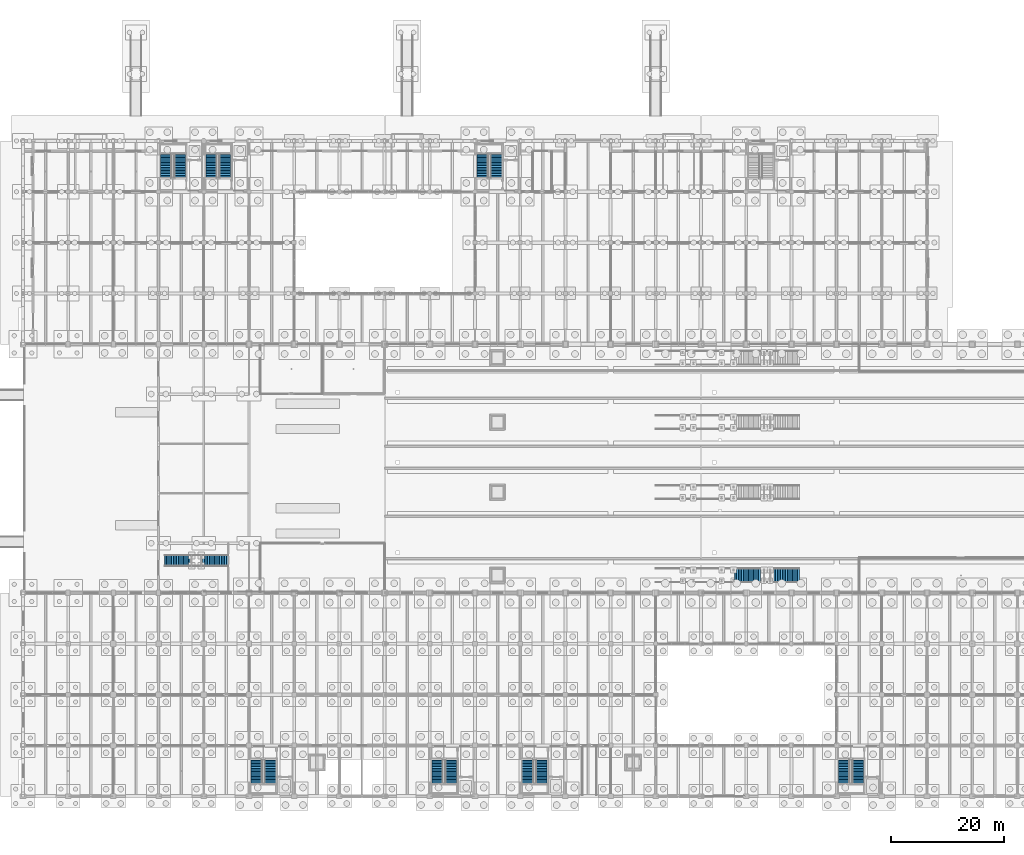
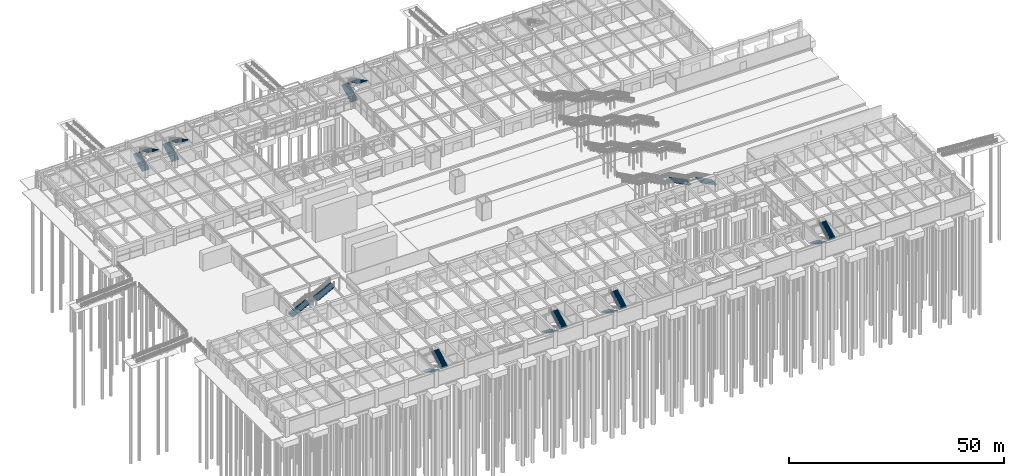
# One storey, part 113 of 147: 18 stair flights, 9 elements without a shape of their own.
"""IFC4 building model written with IfcOpenShell, lengths in metres."""

import ifcopenshell
import ifcopenshell.guid

model = None  # the IFC model being written
_history = None  # IfcOwnerHistory: only IFC2X3 demands one
_inside = {}  # id of a spatial element -> (the spatial element, [elements in it])
_under = {}  # id of a project, library or spatial element -> (it, [spatial elements below it])
_declared = {}  # id of a project -> (the project, [libraries it declares])
_typed = {}  # id of a type object -> (the type object, [elements of that type])
_made_of = {}  # id of a material, layer set ... -> (it, [elements and type objects made of it])


def new_model(schema):
    """Start an empty IFC model of exactly this schema.

    Asked for "IFC4X3", IfcOpenShell would pick the latest addendum, in which some entities
    have other attributes; the version numbers below select the first issue.
    IFC2X3 requires an IfcOwnerHistory on every rooted entity: one is made here for all.
    """
    global model, _history
    if schema == "IFC4X3":
        model = ifcopenshell.file(schema_version=(4, 3, 0, 0))
    else:
        model = ifcopenshell.file(schema=schema)
    _inside.clear()
    _under.clear()
    _declared.clear()
    _typed.clear()
    _made_of.clear()
    _history = None
    if model.schema == "IFC2X3":
        org = make("IfcOrganization", Name="unknown")
        user = make(
            "IfcPersonAndOrganization",
            ThePerson=make("IfcPerson", FamilyName="unknown"),
            TheOrganization=org,
        )
        app = make(
            "IfcApplication",
            ApplicationDeveloper=org,
            Version="unknown",
            ApplicationFullName="unknown",
            ApplicationIdentifier="unknown",
        )
        _history = make(
            "IfcOwnerHistory",
            OwningUser=user,
            OwningApplication=app,
            ChangeAction="ADDED",
            CreationDate=0,
        )
    return model


def make(cls, **values):
    """One entity of the class cls with the attributes given. An attribute that is None is left unset."""
    return model.create_entity(
        cls, **{name: value for name, value in values.items() if value is not None}
    )


def rooted(cls, **values):
    """An entity with a GlobalId (a new one), such as an element, a storey or a relation."""
    return make(cls, GlobalId=ifcopenshell.guid.new(), OwnerHistory=_history, **values)


def si_unit(unit_type, name, prefix=None):
    """IfcSIUnit, for example si_unit("LENGTHUNIT", "METRE", prefix="MILLI")."""
    return make("IfcSIUnit", UnitType=unit_type, Prefix=prefix, Name=name)


def assignment(units):
    """IfcUnitAssignment: the units of a project."""
    return None if units is None else make("IfcUnitAssignment", Units=units)


def point(xyz):
    """IfcCartesianPoint."""
    return None if xyz is None else make("IfcCartesianPoint", Coordinates=xyz)


def direction(xyz):
    """IfcDirection."""
    return None if xyz is None else make("IfcDirection", DirectionRatios=xyz)


def frame(location, z_axis=None, x_axis=None):
    """IfcAxis2Placement3D, a coordinate frame: its origin and axes. An axis left out is left unset."""
    return make(
        "IfcAxis2Placement3D",
        Location=point(location),
        Axis=direction(z_axis),
        RefDirection=direction(x_axis),
    )


def origin():
    """The frame at (0, 0, 0) with its axes left unset."""
    return frame((0.0, 0.0, 0.0))


def place(relative_to, where):
    """IfcLocalPlacement: puts the frame where relative to a parent placement (None: the world)."""
    return make(
        "IfcLocalPlacement", PlacementRelTo=relative_to, RelativePlacement=where
    )


def context(
    kind, dimensions, precision=None, world=None, true_north=None, identifier=None
):
    """IfcGeometricRepresentationContext, for example the 3D "Model" context."""
    return make(
        "IfcGeometricRepresentationContext",
        ContextIdentifier=identifier,
        ContextType=kind,
        CoordinateSpaceDimension=dimensions,
        Precision=precision,
        WorldCoordinateSystem=world,
        TrueNorth=true_north,
    )


def subcontext(parent, identifier, kind, view, scale=None):
    """IfcGeometricRepresentationSubContext, for example "Body" below "Model"."""
    return make(
        "IfcGeometricRepresentationSubContext",
        ContextIdentifier=identifier,
        ContextType=kind,
        ParentContext=parent,
        TargetScale=scale,
        TargetView=view,
    )


def project(units=None, contexts=None):
    """IfcProject with its units and contexts."""
    return rooted(
        "IfcProject",
        Name="project",
        RepresentationContexts=contexts,
        UnitsInContext=assignment(units),
    )


def spatial(cls, under=None, at=None, **own):
    """A site, building, storey or space (cls), placed at a placement, below another one or the project."""
    s = rooted(cls, ObjectPlacement=at, **own)
    if under is not None:
        _under.setdefault(under.id(), (under, []))[1].append(s)
    return s


def polyline(points):
    """IfcPolyline through the points."""
    return make("IfcPolyline", Points=[point(p) for p in points])


def outline(outer, holes=None, kind="AREA"):
    """IfcArbitraryClosedProfileDef: a profile drawn as a closed curve; with holes, ...WithVoids."""
    if holes is None:
        return make("IfcArbitraryClosedProfileDef", ProfileType=kind, OuterCurve=outer)
    return make(
        "IfcArbitraryProfileDefWithVoids",
        ProfileType=kind,
        OuterCurve=outer,
        InnerCurves=holes,
    )


def extrude(swept, where, along, depth):
    """IfcExtrudedAreaSolid: the profile swept, set in the frame where, extruded along a direction by depth."""
    return make(
        "IfcExtrudedAreaSolid",
        SweptArea=swept,
        Position=where,
        ExtrudedDirection=direction(along),
        Depth=depth,
    )


def shape(context_of_items, identifier, shape_type, items):
    """IfcShapeRepresentation: the items that make up one representation, for example the "Body"."""
    return make(
        "IfcShapeRepresentation",
        ContextOfItems=context_of_items,
        RepresentationIdentifier=identifier,
        RepresentationType=shape_type,
        Items=items,
    )


def material(Name=None, Category=None):
    """IfcMaterial."""
    return make("IfcMaterial", Name=Name, Category=Category)


def made_of(thing, what):
    """Note that an element or type object is made of a material, layer set ...; save() writes the relation."""
    if what is not None:
        _made_of.setdefault(what.id(), (what, []))[1].append(thing)
    return thing


def type_object(cls, material=None, **own):
    """A type object (cls), such as IfcWallType, which elements share."""
    return made_of(rooted(cls, **own), material)


def element(
    cls,
    number,
    at=None,
    inside=None,
    cuts=None,
    type_object=None,
    material=None,
    context=None,
    identifier="Body",
    shape_type=None,
    held_by="IfcProductDefinitionShape",
    body=None,
    shapes=None,
    **own,
):
    """One element of the class cls, such as IfcWall. Its Tag is "e" and its number.

    at: its placement. inside: the storey or other place that contains it. cuts: it is an
    opening in that element (IfcRelVoidsElement). A single representation is given by context,
    identifier, shape_type and body (its items); several are given by shapes. held_by: the class
    of the entity that holds the representations. save() writes the other relations.
    """
    e = rooted(cls, Tag="e%d" % number, ObjectPlacement=at, **own)
    if body is not None:
        shapes = [shape(context, identifier, shape_type, body)]
    if shapes is not None:
        e.Representation = make(held_by, Representations=shapes)
    if inside is not None:
        _inside.setdefault(inside.id(), (inside, []))[1].append(e)
    if cuts is not None:
        rooted(
            "IfcRelVoidsElement", RelatingBuildingElement=cuts, RelatedOpeningElement=e
        )
    if type_object is not None:
        _typed.setdefault(type_object.id(), (type_object, []))[1].append(e)
    return made_of(e, material)


def aggregate(whole, parts):
    """IfcRelAggregates: a whole, such as a stair, and the parts it consists of."""
    return rooted("IfcRelAggregates", RelatingObject=whole, RelatedObjects=parts)


def save(model, path):
    """Write the relations noted so far, then the file.

    IfcRelAggregates (storeys below a building ...), IfcRelContainedInSpatialStructure (elements
    in a storey), IfcRelDefinesByType, IfcRelAssociatesMaterial and IfcRelDeclares: one each for
    every whole, place, type object, material and project.
    """
    for whole, parts in _under.values():
        aggregate(whole, parts)
    for where, things in _inside.values():
        rooted(
            "IfcRelContainedInSpatialStructure",
            RelatedElements=things,
            RelatingStructure=where,
        )
    for kind, things in _typed.values():
        rooted("IfcRelDefinesByType", RelatedObjects=things, RelatingType=kind)
    for what, things in _made_of.values():
        rooted("IfcRelAssociatesMaterial", RelatedObjects=things, RelatingMaterial=what)
    for by, libraries in _declared.values():
        rooted("IfcRelDeclares", RelatingContext=by, RelatedDefinitions=libraries)
    model.write(path)


model = new_model("IFC4")

# Units and contexts
model_context = context("Model", 3, precision=1e-05, world=origin(), true_north=direction((0.0, 1.0)))
body_context = subcontext(model_context, "Body", "Model", "MODEL_VIEW")
ifc_project = project(units=[si_unit("LENGTHUNIT", "METRE"), si_unit("AREAUNIT", "SQUARE_METRE"), si_unit("VOLUMEUNIT", "CUBIC_METRE"), si_unit("PLANEANGLEUNIT", "RADIAN"), si_unit("MASSUNIT", "GRAM", prefix="KILO")], contexts=[model_context])

# Site, building, storey
site_placement = place(None, origin())
site = spatial("IfcSite", under=ifc_project, at=site_placement, CompositionType="ELEMENT")
building_placement = place(site_placement, origin())
building = spatial("IfcBuilding", under=site, at=building_placement, Name="Varnabhumi Central Station", CompositionType="ELEMENT")
storey_placement = place(building_placement, origin())
storey = spatial("IfcBuildingStorey", under=building, at=storey_placement, Name="L00", CompositionType="ELEMENT", Elevation=0.0)

# Stair, stair flights
ifc_material = material(Name="Concrete M40", Category="concrete")
stair_type_1 = type_object("IfcStairType", Name="STR-CORE-4800", PredefinedType="DOUBLE_RETURN_STAIR", material=ifc_material)
stair_1_placement = place(storey_placement, origin())
stair_1 = element("IfcStair", 1, at=stair_1_placement, inside=storey, type_object=stair_type_1, Name="Core Stair ST-N1 (L00)", PredefinedType="DOUBLE_RETURN_STAIR")
stair_flight_type_1 = type_object("IfcStairFlightType", Name="FLT-CORE-1500", PredefinedType="STRAIGHT", material=ifc_material)
stair_flight_1_placement = place(storey_placement, frame((25.35009765625, 109.340087890625, 0.0), z_axis=(0.0, 0.0, 1.0), x_axis=(0.0, 1.0, 0.0)))
stair_flight_1 = element("IfcStairFlight", 2, at=stair_flight_1_placement, type_object=stair_flight_type_1, Name="ST-N1 L00 Lower Flight", NumberOfRisers=16, NumberOfTreads=15, PredefinedType="STRAIGHT", RiserHeight=0.15, TreadLength=0.285, context=body_context, shape_type="SweptSolid", body=[
    extrude(outline(polyline([(-0.06005859375, -0.080078125), (-0.06005859375, 0.0), (0.0, 0.0), (0.0, 0.14990234375), (0.284912109375, 0.14990234375), (0.284912109375, 0.300048828125), (0.570068359375, 0.300048828125), (0.570068359375, 0.449951171875), (0.85498046875, 0.449951171875), (0.85498046875, 0.60009765625), (1.139892578125, 0.60009765625), (1.139892578125, 0.75), (1.425048828125, 0.75), (1.425048828125, 0.89990234375), (1.7099609375, 0.89990234375), (1.7099609375, 1.050048828125), (1.9951171875, 1.050048828125), (1.9951171875, 1.199951171875), (2.280029296875, 1.199951171875), (2.280029296875, 1.35009765625), (2.56494140625, 1.35009765625), (2.56494140625, 1.5), (2.85009765625, 1.5), (2.85009765625, 1.64990234375), (3.135009765625, 1.64990234375), (3.135009765625, 1.800048828125), (3.419921875, 1.800048828125), (3.419921875, 1.949951171875), (3.705078125, 1.949951171875), (3.705078125, 2.10009765625), (3.989990234375, 2.10009765625), (3.989990234375, 2.25), (4.27490234375, 2.25), (4.27490234375, 2.39990234375), (4.3349609375, 2.39990234375), (4.3349609375, 2.239990234375), (4.27490234375, 2.0693359375), (0.34326171875, -0.080078125), (-0.06005859375, -0.080078125)])), frame((0.0, 1.0, 0.0), z_axis=(0.0, -1.0, 0.0), x_axis=(1.0, 0.0, 0.0)), (0.0, 0.0, 1.0), 2.0),
])
stair_flight_2_placement = place(storey_placement, frame((27.75, 113.614990234375, 2.39990234375), z_axis=(0.0, 0.0, 1.0), x_axis=(0.0, -1.0, 0.0)))
stair_flight_2 = element("IfcStairFlight", 3, at=stair_flight_2_placement, type_object=stair_flight_type_1, Name="ST-N1 L00 Upper Flight", NumberOfRisers=16, NumberOfTreads=15, PredefinedType="STRAIGHT", RiserHeight=0.15, TreadLength=0.285, context=body_context, shape_type="SweptSolid", body=[
    extrude(outline(polyline([(-0.06005859375, -0.080078125), (-0.06005859375, 0.0), (0.0, 0.0), (0.0, 0.14990234375), (0.284912109375, 0.14990234375), (0.284912109375, 0.300048828125), (0.570068359375, 0.300048828125), (0.570068359375, 0.449951171875), (0.85498046875, 0.449951171875), (0.85498046875, 0.60009765625), (1.139892578125, 0.60009765625), (1.139892578125, 0.75), (1.425048828125, 0.75), (1.425048828125, 0.89990234375), (1.7099609375, 0.89990234375), (1.7099609375, 1.050048828125), (1.9951171875, 1.050048828125), (1.9951171875, 1.199951171875), (2.280029296875, 1.199951171875), (2.280029296875, 1.35009765625), (2.56494140625, 1.35009765625), (2.56494140625, 1.5), (2.85009765625, 1.5), (2.85009765625, 1.64990234375), (3.135009765625, 1.64990234375), (3.135009765625, 1.800048828125), (3.419921875, 1.800048828125), (3.419921875, 1.949951171875), (3.705078125, 1.949951171875), (3.705078125, 2.10009765625), (3.989990234375, 2.10009765625), (3.989990234375, 2.25), (4.27490234375, 2.25), (4.27490234375, 2.39990234375), (4.3349609375, 2.39990234375), (4.3349609375, 2.239990234375), (4.27490234375, 2.0693359375), (0.34326171875, -0.080078125), (-0.06005859375, -0.080078125)])), frame((0.0, 1.0, 0.0), z_axis=(0.0, -1.0, 0.0), x_axis=(1.0, 0.0, 0.0)), (0.0, 0.0, 1.0), 2.0),
])
aggregate(stair_1, [stair_flight_1, stair_flight_2])

stair_2_placement = place(storey_placement, origin())
stair_2 = element("IfcStair", 4, at=stair_2_placement, inside=storey, type_object=stair_type_1, Name="Core Stair ST-N2 (L00)", PredefinedType="DOUBLE_RETURN_STAIR")
stair_flight_3_placement = place(storey_placement, frame((81.35009765625, 109.340087890625, 0.0), z_axis=(0.0, 0.0, 1.0), x_axis=(0.0, 1.0, 0.0)))
stair_flight_3 = element("IfcStairFlight", 5, at=stair_flight_3_placement, type_object=stair_flight_type_1, Name="ST-N2 L00 Lower Flight", NumberOfRisers=16, NumberOfTreads=15, PredefinedType="STRAIGHT", RiserHeight=0.15, TreadLength=0.285, context=body_context, shape_type="SweptSolid", body=[
    extrude(outline(polyline([(-0.06005859375, -0.080078125), (-0.06005859375, 0.0), (0.0, 0.0), (0.0, 0.14990234375), (0.284912109375, 0.14990234375), (0.284912109375, 0.300048828125), (0.570068359375, 0.300048828125), (0.570068359375, 0.449951171875), (0.85498046875, 0.449951171875), (0.85498046875, 0.60009765625), (1.139892578125, 0.60009765625), (1.139892578125, 0.75), (1.425048828125, 0.75), (1.425048828125, 0.89990234375), (1.7099609375, 0.89990234375), (1.7099609375, 1.050048828125), (1.9951171875, 1.050048828125), (1.9951171875, 1.199951171875), (2.280029296875, 1.199951171875), (2.280029296875, 1.35009765625), (2.56494140625, 1.35009765625), (2.56494140625, 1.5), (2.85009765625, 1.5), (2.85009765625, 1.64990234375), (3.135009765625, 1.64990234375), (3.135009765625, 1.800048828125), (3.419921875, 1.800048828125), (3.419921875, 1.949951171875), (3.705078125, 1.949951171875), (3.705078125, 2.10009765625), (3.989990234375, 2.10009765625), (3.989990234375, 2.25), (4.27490234375, 2.25), (4.27490234375, 2.39990234375), (4.3349609375, 2.39990234375), (4.3349609375, 2.239990234375), (4.27490234375, 2.0693359375), (0.34326171875, -0.080078125), (-0.06005859375, -0.080078125)])), frame((0.0, 1.0, 0.0), z_axis=(0.0, -1.0, 0.0), x_axis=(1.0, 0.0, 0.0)), (0.0, 0.0, 1.0), 2.0),
])
stair_flight_4_placement = place(storey_placement, frame((83.75, 113.614990234375, 2.39990234375), z_axis=(0.0, 0.0, 1.0), x_axis=(0.0, -1.0, 0.0)))
stair_flight_4 = element("IfcStairFlight", 6, at=stair_flight_4_placement, type_object=stair_flight_type_1, Name="ST-N2 L00 Upper Flight", NumberOfRisers=16, NumberOfTreads=15, PredefinedType="STRAIGHT", RiserHeight=0.15, TreadLength=0.285, context=body_context, shape_type="SweptSolid", body=[
    extrude(outline(polyline([(-0.06005859375, -0.080078125), (-0.06005859375, 0.0), (0.0, 0.0), (0.0, 0.14990234375), (0.284912109375, 0.14990234375), (0.284912109375, 0.300048828125), (0.570068359375, 0.300048828125), (0.570068359375, 0.449951171875), (0.85498046875, 0.449951171875), (0.85498046875, 0.60009765625), (1.139892578125, 0.60009765625), (1.139892578125, 0.75), (1.425048828125, 0.75), (1.425048828125, 0.89990234375), (1.7099609375, 0.89990234375), (1.7099609375, 1.050048828125), (1.9951171875, 1.050048828125), (1.9951171875, 1.199951171875), (2.280029296875, 1.199951171875), (2.280029296875, 1.35009765625), (2.56494140625, 1.35009765625), (2.56494140625, 1.5), (2.85009765625, 1.5), (2.85009765625, 1.64990234375), (3.135009765625, 1.64990234375), (3.135009765625, 1.800048828125), (3.419921875, 1.800048828125), (3.419921875, 1.949951171875), (3.705078125, 1.949951171875), (3.705078125, 2.10009765625), (3.989990234375, 2.10009765625), (3.989990234375, 2.25), (4.27490234375, 2.25), (4.27490234375, 2.39990234375), (4.3349609375, 2.39990234375), (4.3349609375, 2.239990234375), (4.27490234375, 2.0693359375), (0.34326171875, -0.080078125), (-0.06005859375, -0.080078125)])), frame((0.0, 1.0, 0.0), z_axis=(0.0, -1.0, 0.0), x_axis=(1.0, 0.0, 0.0)), (0.0, 0.0, 1.0), 2.0),
])
aggregate(stair_2, [stair_flight_3, stair_flight_4])

stair_3_placement = place(storey_placement, origin())
stair_3 = element("IfcStair", 7, at=stair_3_placement, inside=storey, type_object=stair_type_1, Name="Core Stair ST-S1 (L00)", PredefinedType="DOUBLE_RETURN_STAIR")
stair_flight_5_placement = place(storey_placement, frame((41.35009765625, 6.659912109375, 0.0), z_axis=(0.0, 0.0, 1.0), x_axis=(0.0, -1.0, 0.0)))
stair_flight_5 = element("IfcStairFlight", 8, at=stair_flight_5_placement, type_object=stair_flight_type_1, Name="ST-S1 L00 Lower Flight", NumberOfRisers=16, NumberOfTreads=15, PredefinedType="STRAIGHT", RiserHeight=0.15, TreadLength=0.285, context=body_context, shape_type="SweptSolid", body=[
    extrude(outline(polyline([(-0.06005859375, -0.080078125), (-0.06005859375, 0.0), (0.0, 0.0), (0.0, 0.14990234375), (0.284912109375, 0.14990234375), (0.284912109375, 0.300048828125), (0.570068359375, 0.300048828125), (0.570068359375, 0.449951171875), (0.85498046875, 0.449951171875), (0.85498046875, 0.60009765625), (1.139892578125, 0.60009765625), (1.139892578125, 0.75), (1.425048828125, 0.75), (1.425048828125, 0.89990234375), (1.7099609375, 0.89990234375), (1.7099609375, 1.050048828125), (1.9951171875, 1.050048828125), (1.9951171875, 1.199951171875), (2.280029296875, 1.199951171875), (2.280029296875, 1.35009765625), (2.56494140625, 1.35009765625), (2.56494140625, 1.5), (2.85009765625, 1.5), (2.85009765625, 1.64990234375), (3.135009765625, 1.64990234375), (3.135009765625, 1.800048828125), (3.419921875, 1.800048828125), (3.419921875, 1.949951171875), (3.705078125, 1.949951171875), (3.705078125, 2.10009765625), (3.989990234375, 2.10009765625), (3.989990234375, 2.25), (4.27490234375, 2.25), (4.27490234375, 2.39990234375), (4.3349609375, 2.39990234375), (4.3349609375, 2.239990234375), (4.27490234375, 2.0693359375), (0.34326171875, -0.080078125), (-0.06005859375, -0.080078125)])), frame((0.0, 1.0, 0.0), z_axis=(0.0, -1.0, 0.0), x_axis=(1.0, 0.0, 0.0)), (0.0, 0.0, 1.0), 2.0),
])
stair_flight_6_placement = place(storey_placement, frame((43.75, 2.385009765625, 2.39990234375), z_axis=(0.0, 0.0, 1.0), x_axis=(0.0, 1.0, 0.0)))
stair_flight_6 = element("IfcStairFlight", 9, at=stair_flight_6_placement, type_object=stair_flight_type_1, Name="ST-S1 L00 Upper Flight", NumberOfRisers=16, NumberOfTreads=15, PredefinedType="STRAIGHT", RiserHeight=0.15, TreadLength=0.285, context=body_context, shape_type="SweptSolid", body=[
    extrude(outline(polyline([(-0.06005859375, -0.080078125), (-0.06005859375, 0.0), (0.0, 0.0), (0.0, 0.14990234375), (0.284912109375, 0.14990234375), (0.284912109375, 0.300048828125), (0.570068359375, 0.300048828125), (0.570068359375, 0.449951171875), (0.85498046875, 0.449951171875), (0.85498046875, 0.60009765625), (1.139892578125, 0.60009765625), (1.139892578125, 0.75), (1.425048828125, 0.75), (1.425048828125, 0.89990234375), (1.7099609375, 0.89990234375), (1.7099609375, 1.050048828125), (1.9951171875, 1.050048828125), (1.9951171875, 1.199951171875), (2.280029296875, 1.199951171875), (2.280029296875, 1.35009765625), (2.56494140625, 1.35009765625), (2.56494140625, 1.5), (2.85009765625, 1.5), (2.85009765625, 1.64990234375), (3.135009765625, 1.64990234375), (3.135009765625, 1.800048828125), (3.419921875, 1.800048828125), (3.419921875, 1.949951171875), (3.705078125, 1.949951171875), (3.705078125, 2.10009765625), (3.989990234375, 2.10009765625), (3.989990234375, 2.25), (4.27490234375, 2.25), (4.27490234375, 2.39990234375), (4.3349609375, 2.39990234375), (4.3349609375, 2.239990234375), (4.27490234375, 2.0693359375), (0.34326171875, -0.080078125), (-0.06005859375, -0.080078125)])), frame((0.0, 1.0, 0.0), z_axis=(0.0, -1.0, 0.0), x_axis=(1.0, 0.0, 0.0)), (0.0, 0.0, 1.0), 2.0),
])
aggregate(stair_3, [stair_flight_5, stair_flight_6])

stair_4_placement = place(storey_placement, origin())
stair_4 = element("IfcStair", 10, at=stair_4_placement, inside=storey, type_object=stair_type_1, Name="Core Stair ST-S2 (L00)", PredefinedType="DOUBLE_RETURN_STAIR")
stair_flight_7_placement = place(storey_placement, frame((89.35009765625, 6.659912109375, 0.0), z_axis=(0.0, 0.0, 1.0), x_axis=(0.0, -1.0, 0.0)))
stair_flight_7 = element("IfcStairFlight", 11, at=stair_flight_7_placement, type_object=stair_flight_type_1, Name="ST-S2 L00 Lower Flight", NumberOfRisers=16, NumberOfTreads=15, PredefinedType="STRAIGHT", RiserHeight=0.15, TreadLength=0.285, context=body_context, shape_type="SweptSolid", body=[
    extrude(outline(polyline([(-0.06005859375, -0.080078125), (-0.06005859375, 0.0), (0.0, 0.0), (0.0, 0.14990234375), (0.284912109375, 0.14990234375), (0.284912109375, 0.300048828125), (0.570068359375, 0.300048828125), (0.570068359375, 0.449951171875), (0.85498046875, 0.449951171875), (0.85498046875, 0.60009765625), (1.139892578125, 0.60009765625), (1.139892578125, 0.75), (1.425048828125, 0.75), (1.425048828125, 0.89990234375), (1.7099609375, 0.89990234375), (1.7099609375, 1.050048828125), (1.9951171875, 1.050048828125), (1.9951171875, 1.199951171875), (2.280029296875, 1.199951171875), (2.280029296875, 1.35009765625), (2.56494140625, 1.35009765625), (2.56494140625, 1.5), (2.85009765625, 1.5), (2.85009765625, 1.64990234375), (3.135009765625, 1.64990234375), (3.135009765625, 1.800048828125), (3.419921875, 1.800048828125), (3.419921875, 1.949951171875), (3.705078125, 1.949951171875), (3.705078125, 2.10009765625), (3.989990234375, 2.10009765625), (3.989990234375, 2.25), (4.27490234375, 2.25), (4.27490234375, 2.39990234375), (4.3349609375, 2.39990234375), (4.3349609375, 2.239990234375), (4.27490234375, 2.0693359375), (0.34326171875, -0.080078125), (-0.06005859375, -0.080078125)])), frame((0.0, 1.0, 0.0), z_axis=(0.0, -1.0, 0.0), x_axis=(1.0, 0.0, 0.0)), (0.0, 0.0, 1.0), 2.0),
])
stair_flight_8_placement = place(storey_placement, frame((91.75, 2.385009765625, 2.39990234375), z_axis=(0.0, 0.0, 1.0), x_axis=(0.0, 1.0, 0.0)))
stair_flight_8 = element("IfcStairFlight", 12, at=stair_flight_8_placement, type_object=stair_flight_type_1, Name="ST-S2 L00 Upper Flight", NumberOfRisers=16, NumberOfTreads=15, PredefinedType="STRAIGHT", RiserHeight=0.15, TreadLength=0.285, context=body_context, shape_type="SweptSolid", body=[
    extrude(outline(polyline([(-0.06005859375, -0.080078125), (-0.06005859375, 0.0), (0.0, 0.0), (0.0, 0.14990234375), (0.284912109375, 0.14990234375), (0.284912109375, 0.300048828125), (0.570068359375, 0.300048828125), (0.570068359375, 0.449951171875), (0.85498046875, 0.449951171875), (0.85498046875, 0.60009765625), (1.139892578125, 0.60009765625), (1.139892578125, 0.75), (1.425048828125, 0.75), (1.425048828125, 0.89990234375), (1.7099609375, 0.89990234375), (1.7099609375, 1.050048828125), (1.9951171875, 1.050048828125), (1.9951171875, 1.199951171875), (2.280029296875, 1.199951171875), (2.280029296875, 1.35009765625), (2.56494140625, 1.35009765625), (2.56494140625, 1.5), (2.85009765625, 1.5), (2.85009765625, 1.64990234375), (3.135009765625, 1.64990234375), (3.135009765625, 1.800048828125), (3.419921875, 1.800048828125), (3.419921875, 1.949951171875), (3.705078125, 1.949951171875), (3.705078125, 2.10009765625), (3.989990234375, 2.10009765625), (3.989990234375, 2.25), (4.27490234375, 2.25), (4.27490234375, 2.39990234375), (4.3349609375, 2.39990234375), (4.3349609375, 2.239990234375), (4.27490234375, 2.0693359375), (0.34326171875, -0.080078125), (-0.06005859375, -0.080078125)])), frame((0.0, 1.0, 0.0), z_axis=(0.0, -1.0, 0.0), x_axis=(1.0, 0.0, 0.0)), (0.0, 0.0, 1.0), 2.0),
])
aggregate(stair_4, [stair_flight_7, stair_flight_8])

stair_5_placement = place(storey_placement, origin())
stair_5 = element("IfcStair", 13, at=stair_5_placement, inside=storey, type_object=stair_type_1, Name="Core Stair ST-S3 (L00)", PredefinedType="DOUBLE_RETURN_STAIR")
stair_flight_9_placement = place(storey_placement, frame((145.35009765625, 6.659912109375, 0.0), z_axis=(0.0, 0.0, 1.0), x_axis=(0.0, -1.0, 0.0)))
stair_flight_9 = element("IfcStairFlight", 14, at=stair_flight_9_placement, type_object=stair_flight_type_1, Name="ST-S3 L00 Lower Flight", NumberOfRisers=16, NumberOfTreads=15, PredefinedType="STRAIGHT", RiserHeight=0.15, TreadLength=0.285, context=body_context, shape_type="SweptSolid", body=[
    extrude(outline(polyline([(-0.06005859375, -0.080078125), (-0.06005859375, 0.0), (0.0, 0.0), (0.0, 0.14990234375), (0.284912109375, 0.14990234375), (0.284912109375, 0.300048828125), (0.570068359375, 0.300048828125), (0.570068359375, 0.449951171875), (0.85498046875, 0.449951171875), (0.85498046875, 0.60009765625), (1.139892578125, 0.60009765625), (1.139892578125, 0.75), (1.425048828125, 0.75), (1.425048828125, 0.89990234375), (1.7099609375, 0.89990234375), (1.7099609375, 1.050048828125), (1.9951171875, 1.050048828125), (1.9951171875, 1.199951171875), (2.280029296875, 1.199951171875), (2.280029296875, 1.35009765625), (2.56494140625, 1.35009765625), (2.56494140625, 1.5), (2.85009765625, 1.5), (2.85009765625, 1.64990234375), (3.135009765625, 1.64990234375), (3.135009765625, 1.800048828125), (3.419921875, 1.800048828125), (3.419921875, 1.949951171875), (3.705078125, 1.949951171875), (3.705078125, 2.10009765625), (3.989990234375, 2.10009765625), (3.989990234375, 2.25), (4.27490234375, 2.25), (4.27490234375, 2.39990234375), (4.3349609375, 2.39990234375), (4.3349609375, 2.239990234375), (4.27490234375, 2.0693359375), (0.34326171875, -0.080078125), (-0.06005859375, -0.080078125)])), frame((0.0, 1.0, 0.0), z_axis=(0.0, -1.0, 0.0), x_axis=(1.0, 0.0, 0.0)), (0.0, 0.0, 1.0), 2.0),
])
stair_flight_10_placement = place(storey_placement, frame((147.75, 2.385009765625, 2.39990234375), z_axis=(0.0, 0.0, 1.0), x_axis=(0.0, 1.0, 0.0)))
stair_flight_10 = element("IfcStairFlight", 15, at=stair_flight_10_placement, type_object=stair_flight_type_1, Name="ST-S3 L00 Upper Flight", NumberOfRisers=16, NumberOfTreads=15, PredefinedType="STRAIGHT", RiserHeight=0.15, TreadLength=0.285, context=body_context, shape_type="SweptSolid", body=[
    extrude(outline(polyline([(-0.06005859375, -0.080078125), (-0.06005859375, 0.0), (0.0, 0.0), (0.0, 0.14990234375), (0.284912109375, 0.14990234375), (0.284912109375, 0.300048828125), (0.570068359375, 0.300048828125), (0.570068359375, 0.449951171875), (0.85498046875, 0.449951171875), (0.85498046875, 0.60009765625), (1.139892578125, 0.60009765625), (1.139892578125, 0.75), (1.425048828125, 0.75), (1.425048828125, 0.89990234375), (1.7099609375, 0.89990234375), (1.7099609375, 1.050048828125), (1.9951171875, 1.050048828125), (1.9951171875, 1.199951171875), (2.280029296875, 1.199951171875), (2.280029296875, 1.35009765625), (2.56494140625, 1.35009765625), (2.56494140625, 1.5), (2.85009765625, 1.5), (2.85009765625, 1.64990234375), (3.135009765625, 1.64990234375), (3.135009765625, 1.800048828125), (3.419921875, 1.800048828125), (3.419921875, 1.949951171875), (3.705078125, 1.949951171875), (3.705078125, 2.10009765625), (3.989990234375, 2.10009765625), (3.989990234375, 2.25), (4.27490234375, 2.25), (4.27490234375, 2.39990234375), (4.3349609375, 2.39990234375), (4.3349609375, 2.239990234375), (4.27490234375, 2.0693359375), (0.34326171875, -0.080078125), (-0.06005859375, -0.080078125)])), frame((0.0, 1.0, 0.0), z_axis=(0.0, -1.0, 0.0), x_axis=(1.0, 0.0, 0.0)), (0.0, 0.0, 1.0), 2.0),
])
aggregate(stair_5, [stair_flight_9, stair_flight_10])

stair_6_placement = place(storey_placement, origin())
stair_6 = element("IfcStair", 16, at=stair_6_placement, inside=storey, type_object=stair_type_1, Name="Core Stair ST-N4 (L00)", PredefinedType="DOUBLE_RETURN_STAIR")
stair_flight_11_placement = place(storey_placement, frame((33.35009765625, 109.340087890625, 0.0), z_axis=(0.0, 0.0, 1.0), x_axis=(0.0, 1.0, 0.0)))
stair_flight_11 = element("IfcStairFlight", 17, at=stair_flight_11_placement, type_object=stair_flight_type_1, Name="ST-N4 L00 Lower Flight", NumberOfRisers=16, NumberOfTreads=15, PredefinedType="STRAIGHT", RiserHeight=0.15, TreadLength=0.285, context=body_context, shape_type="SweptSolid", body=[
    extrude(outline(polyline([(-0.06005859375, -0.080078125), (-0.06005859375, 0.0), (0.0, 0.0), (0.0, 0.14990234375), (0.284912109375, 0.14990234375), (0.284912109375, 0.300048828125), (0.570068359375, 0.300048828125), (0.570068359375, 0.449951171875), (0.85498046875, 0.449951171875), (0.85498046875, 0.60009765625), (1.139892578125, 0.60009765625), (1.139892578125, 0.75), (1.425048828125, 0.75), (1.425048828125, 0.89990234375), (1.7099609375, 0.89990234375), (1.7099609375, 1.050048828125), (1.9951171875, 1.050048828125), (1.9951171875, 1.199951171875), (2.280029296875, 1.199951171875), (2.280029296875, 1.35009765625), (2.56494140625, 1.35009765625), (2.56494140625, 1.5), (2.85009765625, 1.5), (2.85009765625, 1.64990234375), (3.135009765625, 1.64990234375), (3.135009765625, 1.800048828125), (3.419921875, 1.800048828125), (3.419921875, 1.949951171875), (3.705078125, 1.949951171875), (3.705078125, 2.10009765625), (3.989990234375, 2.10009765625), (3.989990234375, 2.25), (4.27490234375, 2.25), (4.27490234375, 2.39990234375), (4.3349609375, 2.39990234375), (4.3349609375, 2.239990234375), (4.27490234375, 2.0693359375), (0.34326171875, -0.080078125), (-0.06005859375, -0.080078125)])), frame((0.0, 1.0, 0.0), z_axis=(0.0, -1.0, 0.0), x_axis=(1.0, 0.0, 0.0)), (0.0, 0.0, 1.0), 2.0),
])
stair_flight_12_placement = place(storey_placement, frame((35.75, 113.614990234375, 2.39990234375), z_axis=(0.0, 0.0, 1.0), x_axis=(0.0, -1.0, 0.0)))
stair_flight_12 = element("IfcStairFlight", 18, at=stair_flight_12_placement, type_object=stair_flight_type_1, Name="ST-N4 L00 Upper Flight", NumberOfRisers=16, NumberOfTreads=15, PredefinedType="STRAIGHT", RiserHeight=0.15, TreadLength=0.285, context=body_context, shape_type="SweptSolid", body=[
    extrude(outline(polyline([(-0.06005859375, -0.080078125), (-0.06005859375, 0.0), (0.0, 0.0), (0.0, 0.14990234375), (0.284912109375, 0.14990234375), (0.284912109375, 0.300048828125), (0.570068359375, 0.300048828125), (0.570068359375, 0.449951171875), (0.85498046875, 0.449951171875), (0.85498046875, 0.60009765625), (1.139892578125, 0.60009765625), (1.139892578125, 0.75), (1.425048828125, 0.75), (1.425048828125, 0.89990234375), (1.7099609375, 0.89990234375), (1.7099609375, 1.050048828125), (1.9951171875, 1.050048828125), (1.9951171875, 1.199951171875), (2.280029296875, 1.199951171875), (2.280029296875, 1.35009765625), (2.56494140625, 1.35009765625), (2.56494140625, 1.5), (2.85009765625, 1.5), (2.85009765625, 1.64990234375), (3.135009765625, 1.64990234375), (3.135009765625, 1.800048828125), (3.419921875, 1.800048828125), (3.419921875, 1.949951171875), (3.705078125, 1.949951171875), (3.705078125, 2.10009765625), (3.989990234375, 2.10009765625), (3.989990234375, 2.25), (4.27490234375, 2.25), (4.27490234375, 2.39990234375), (4.3349609375, 2.39990234375), (4.3349609375, 2.239990234375), (4.27490234375, 2.0693359375), (0.34326171875, -0.080078125), (-0.06005859375, -0.080078125)])), frame((0.0, 1.0, 0.0), z_axis=(0.0, -1.0, 0.0), x_axis=(1.0, 0.0, 0.0)), (0.0, 0.0, 1.0), 2.0),
])
aggregate(stair_6, [stair_flight_11, stair_flight_12])

stair_7_placement = place(storey_placement, origin())
stair_7 = element("IfcStair", 19, at=stair_7_placement, inside=storey, type_object=stair_type_1, Name="Core Stair ST-S4 (L00)", PredefinedType="DOUBLE_RETURN_STAIR")
stair_flight_13_placement = place(storey_placement, frame((73.35009765625, 6.659912109375, 0.0), z_axis=(0.0, 0.0, 1.0), x_axis=(0.0, -1.0, 0.0)))
stair_flight_13 = element("IfcStairFlight", 20, at=stair_flight_13_placement, type_object=stair_flight_type_1, Name="ST-S4 L00 Lower Flight", NumberOfRisers=16, NumberOfTreads=15, PredefinedType="STRAIGHT", RiserHeight=0.15, TreadLength=0.285, context=body_context, shape_type="SweptSolid", body=[
    extrude(outline(polyline([(-0.06005859375, -0.080078125), (-0.06005859375, 0.0), (0.0, 0.0), (0.0, 0.14990234375), (0.284912109375, 0.14990234375), (0.284912109375, 0.300048828125), (0.570068359375, 0.300048828125), (0.570068359375, 0.449951171875), (0.85498046875, 0.449951171875), (0.85498046875, 0.60009765625), (1.139892578125, 0.60009765625), (1.139892578125, 0.75), (1.425048828125, 0.75), (1.425048828125, 0.89990234375), (1.7099609375, 0.89990234375), (1.7099609375, 1.050048828125), (1.9951171875, 1.050048828125), (1.9951171875, 1.199951171875), (2.280029296875, 1.199951171875), (2.280029296875, 1.35009765625), (2.56494140625, 1.35009765625), (2.56494140625, 1.5), (2.85009765625, 1.5), (2.85009765625, 1.64990234375), (3.135009765625, 1.64990234375), (3.135009765625, 1.800048828125), (3.419921875, 1.800048828125), (3.419921875, 1.949951171875), (3.705078125, 1.949951171875), (3.705078125, 2.10009765625), (3.989990234375, 2.10009765625), (3.989990234375, 2.25), (4.27490234375, 2.25), (4.27490234375, 2.39990234375), (4.3349609375, 2.39990234375), (4.3349609375, 2.239990234375), (4.27490234375, 2.0693359375), (0.34326171875, -0.080078125), (-0.06005859375, -0.080078125)])), frame((0.0, 1.0, 0.0), z_axis=(0.0, -1.0, 0.0), x_axis=(1.0, 0.0, 0.0)), (0.0, 0.0, 1.0), 2.0),
])
stair_flight_14_placement = place(storey_placement, frame((75.75, 2.385009765625, 2.39990234375), z_axis=(0.0, 0.0, 1.0), x_axis=(0.0, 1.0, 0.0)))
stair_flight_14 = element("IfcStairFlight", 21, at=stair_flight_14_placement, type_object=stair_flight_type_1, Name="ST-S4 L00 Upper Flight", NumberOfRisers=16, NumberOfTreads=15, PredefinedType="STRAIGHT", RiserHeight=0.15, TreadLength=0.285, context=body_context, shape_type="SweptSolid", body=[
    extrude(outline(polyline([(-0.06005859375, -0.080078125), (-0.06005859375, 0.0), (0.0, 0.0), (0.0, 0.14990234375), (0.284912109375, 0.14990234375), (0.284912109375, 0.300048828125), (0.570068359375, 0.300048828125), (0.570068359375, 0.449951171875), (0.85498046875, 0.449951171875), (0.85498046875, 0.60009765625), (1.139892578125, 0.60009765625), (1.139892578125, 0.75), (1.425048828125, 0.75), (1.425048828125, 0.89990234375), (1.7099609375, 0.89990234375), (1.7099609375, 1.050048828125), (1.9951171875, 1.050048828125), (1.9951171875, 1.199951171875), (2.280029296875, 1.199951171875), (2.280029296875, 1.35009765625), (2.56494140625, 1.35009765625), (2.56494140625, 1.5), (2.85009765625, 1.5), (2.85009765625, 1.64990234375), (3.135009765625, 1.64990234375), (3.135009765625, 1.800048828125), (3.419921875, 1.800048828125), (3.419921875, 1.949951171875), (3.705078125, 1.949951171875), (3.705078125, 2.10009765625), (3.989990234375, 2.10009765625), (3.989990234375, 2.25), (4.27490234375, 2.25), (4.27490234375, 2.39990234375), (4.3349609375, 2.39990234375), (4.3349609375, 2.239990234375), (4.27490234375, 2.0693359375), (0.34326171875, -0.080078125), (-0.06005859375, -0.080078125)])), frame((0.0, 1.0, 0.0), z_axis=(0.0, -1.0, 0.0), x_axis=(1.0, 0.0, 0.0)), (0.0, 0.0, 1.0), 2.0),
])
aggregate(stair_7, [stair_flight_13, stair_flight_14])

stair_type_2 = type_object("IfcStairType", Name="STR-MEZZ-4800", PredefinedType="TWO_STRAIGHT_RUN_STAIR", material=ifc_material)
stair_8_placement = place(storey_placement, origin())
stair_8 = element("IfcStair", 22, at=stair_8_placement, inside=storey, type_object=stair_type_2, Name="Arrival Hall Mezzanine Grand Stair", PredefinedType="TWO_STRAIGHT_RUN_STAIR")
stair_flight_type_2 = type_object("IfcStairFlightType", Name="FLT-MEZZ-2000", PredefinedType="STRAIGHT", material=ifc_material)
stair_flight_15_placement = place(storey_placement, frame((25.10009765625, 41.699951171875, 0.0), z_axis=(0.0, 0.0, 1.0), x_axis=(1.0, 0.0, 0.0)))
stair_flight_15 = element("IfcStairFlight", 23, at=stair_flight_15_placement, type_object=stair_flight_type_2, Name="Mezzanine Stair Lower Flight", NumberOfRisers=16, NumberOfTreads=15, PredefinedType="STRAIGHT", RiserHeight=0.15, TreadLength=0.3, context=body_context, shape_type="SweptSolid", body=[
    extrude(outline(polyline([(-0.06005859375, -0.08984375), (-0.06005859375, 0.0), (0.0, 0.0), (0.0, 0.14990234375), (0.300048828125, 0.14990234375), (0.300048828125, 0.300048828125), (0.60009765625, 0.300048828125), (0.60009765625, 0.449951171875), (0.89990234375, 0.449951171875), (0.89990234375, 0.60009765625), (1.199951171875, 0.60009765625), (1.199951171875, 0.75), (1.5, 0.75), (1.5, 0.89990234375), (1.800048828125, 0.89990234375), (1.800048828125, 1.050048828125), (2.10009765625, 1.050048828125), (2.10009765625, 1.199951171875), (2.39990234375, 1.199951171875), (2.39990234375, 1.35009765625), (2.699951171875, 1.35009765625), (2.699951171875, 1.5), (3.0, 1.5), (3.0, 1.64990234375), (3.300048828125, 1.64990234375), (3.300048828125, 1.800048828125), (3.60009765625, 1.800048828125), (3.60009765625, 1.949951171875), (3.89990234375, 1.949951171875), (3.89990234375, 2.10009765625), (4.199951171875, 2.10009765625), (4.199951171875, 2.25), (4.5, 2.25), (4.5, 2.39990234375), (4.56005859375, 2.39990234375), (4.56005859375, 2.219970703125), (4.5, 2.048828125), (0.40234375, -0.08984375), (-0.06005859375, -0.08984375)])), frame((0.0, 1.0, 0.0), z_axis=(0.0, -1.0, 0.0), x_axis=(1.0, 0.0, 0.0)), (0.0, 0.0, 1.0), 2.0),
])
stair_flight_16_placement = place(storey_placement, frame((31.800048828125, 41.699951171875, 2.39990234375), z_axis=(0.0, 0.0, 1.0), x_axis=(1.0, 0.0, 0.0)))
stair_flight_16 = element("IfcStairFlight", 24, at=stair_flight_16_placement, type_object=stair_flight_type_2, Name="Mezzanine Stair Upper Flight", NumberOfRisers=16, NumberOfTreads=15, PredefinedType="STRAIGHT", RiserHeight=0.15, TreadLength=0.3, context=body_context, shape_type="SweptSolid", body=[
    extrude(outline(polyline([(-0.06005859375, -0.08984375), (-0.06005859375, 0.0), (0.0, 0.0), (0.0, 0.14990234375), (0.300048828125, 0.14990234375), (0.300048828125, 0.300048828125), (0.60009765625, 0.300048828125), (0.60009765625, 0.449951171875), (0.89990234375, 0.449951171875), (0.89990234375, 0.60009765625), (1.199951171875, 0.60009765625), (1.199951171875, 0.75), (1.5, 0.75), (1.5, 0.89990234375), (1.800048828125, 0.89990234375), (1.800048828125, 1.050048828125), (2.10009765625, 1.050048828125), (2.10009765625, 1.199951171875), (2.39990234375, 1.199951171875), (2.39990234375, 1.35009765625), (2.699951171875, 1.35009765625), (2.699951171875, 1.5), (3.0, 1.5), (3.0, 1.64990234375), (3.300048828125, 1.64990234375), (3.300048828125, 1.800048828125), (3.60009765625, 1.800048828125), (3.60009765625, 1.949951171875), (3.89990234375, 1.949951171875), (3.89990234375, 2.10009765625), (4.199951171875, 2.10009765625), (4.199951171875, 2.25), (4.5, 2.25), (4.5, 2.39990234375), (4.56005859375, 2.39990234375), (4.56005859375, 2.219970703125), (4.5, 2.048828125), (0.40234375, -0.08984375), (-0.06005859375, -0.08984375)])), frame((0.0, 1.0, 0.0), z_axis=(0.0, -1.0, 0.0), x_axis=(1.0, 0.0, 0.0)), (0.0, 0.0, 1.0), 2.0),
])
aggregate(stair_8, [stair_flight_15, stair_flight_16])

stair_type_3 = type_object("IfcStairType", Name="STR-PLAT-4800", PredefinedType="TWO_STRAIGHT_RUN_STAIR", material=ifc_material)
stair_9_placement = place(storey_placement, origin())
stair_9 = element("IfcStair", 25, at=stair_9_placement, inside=storey, type_object=stair_type_3, Name="Platform 1 Lower Stair (L00-L01)", PredefinedType="TWO_STRAIGHT_RUN_STAIR")
stair_flight_type_3 = type_object("IfcStairFlightType", Name="FLT-PLAT-2200", PredefinedType="STRAIGHT", material=ifc_material)
stair_flight_17_placement = place(storey_placement, frame((137.39990234375, 39.10009765625, 0.0), z_axis=(0.0, 0.0, 1.0), x_axis=(-1.0, 0.0, 0.0)))
stair_flight_17 = element("IfcStairFlight", 26, at=stair_flight_17_placement, type_object=stair_flight_type_3, Name="Platform 1 Lower Stair Flight 1", NumberOfRisers=16, NumberOfTreads=15, PredefinedType="STRAIGHT", RiserHeight=0.15, TreadLength=0.3, context=body_context, shape_type="SweptSolid", body=[
    extrude(outline(polyline([(-0.06005859375, -0.08984375), (-0.06005859375, 0.0), (0.0, 0.0), (0.0, 0.14990234375), (0.300048828125, 0.14990234375), (0.300048828125, 0.300048828125), (0.60009765625, 0.300048828125), (0.60009765625, 0.449951171875), (0.89990234375, 0.449951171875), (0.89990234375, 0.60009765625), (1.199951171875, 0.60009765625), (1.199951171875, 0.75), (1.5, 0.75), (1.5, 0.89990234375), (1.800048828125, 0.89990234375), (1.800048828125, 1.050048828125), (2.10009765625, 1.050048828125), (2.10009765625, 1.199951171875), (2.39990234375, 1.199951171875), (2.39990234375, 1.35009765625), (2.699951171875, 1.35009765625), (2.699951171875, 1.5), (3.0, 1.5), (3.0, 1.64990234375), (3.300048828125, 1.64990234375), (3.300048828125, 1.800048828125), (3.60009765625, 1.800048828125), (3.60009765625, 1.949951171875), (3.89990234375, 1.949951171875), (3.89990234375, 2.10009765625), (4.199951171875, 2.10009765625), (4.199951171875, 2.25), (4.5, 2.25), (4.5, 2.39990234375), (4.56005859375, 2.39990234375), (4.56005859375, 2.219970703125), (4.5, 2.048828125), (0.40234375, -0.08984375), (-0.06005859375, -0.08984375)])), frame((0.0, 1.199951171875, 0.0), z_axis=(0.0, -1.0, 0.0), x_axis=(1.0, 0.0, 0.0)), (0.0, 0.0, 1.0), 2.39990234375),
])
stair_flight_18_placement = place(storey_placement, frame((130.5, 39.10009765625, 2.39990234375), z_axis=(0.0, 0.0, 1.0), x_axis=(-1.0, 0.0, 0.0)))
stair_flight_18 = element("IfcStairFlight", 27, at=stair_flight_18_placement, type_object=stair_flight_type_3, Name="Platform 1 Lower Stair Flight 2", NumberOfRisers=16, NumberOfTreads=15, PredefinedType="STRAIGHT", RiserHeight=0.15, TreadLength=0.3, context=body_context, shape_type="SweptSolid", body=[
    extrude(outline(polyline([(-0.06005859375, -0.08984375), (-0.06005859375, 0.0), (0.0, 0.0), (0.0, 0.14990234375), (0.300048828125, 0.14990234375), (0.300048828125, 0.300048828125), (0.60009765625, 0.300048828125), (0.60009765625, 0.449951171875), (0.89990234375, 0.449951171875), (0.89990234375, 0.60009765625), (1.199951171875, 0.60009765625), (1.199951171875, 0.75), (1.5, 0.75), (1.5, 0.89990234375), (1.800048828125, 0.89990234375), (1.800048828125, 1.050048828125), (2.10009765625, 1.050048828125), (2.10009765625, 1.199951171875), (2.39990234375, 1.199951171875), (2.39990234375, 1.35009765625), (2.699951171875, 1.35009765625), (2.699951171875, 1.5), (3.0, 1.5), (3.0, 1.64990234375), (3.300048828125, 1.64990234375), (3.300048828125, 1.800048828125), (3.60009765625, 1.800048828125), (3.60009765625, 1.949951171875), (3.89990234375, 1.949951171875), (3.89990234375, 2.10009765625), (4.199951171875, 2.10009765625), (4.199951171875, 2.25), (4.5, 2.25), (4.5, 2.39990234375), (4.56005859375, 2.39990234375), (4.56005859375, 2.219970703125), (4.5, 2.048828125), (0.40234375, -0.08984375), (-0.06005859375, -0.08984375)])), frame((0.0, 1.199951171875, 0.0), z_axis=(0.0, -1.0, 0.0), x_axis=(1.0, 0.0, 0.0)), (0.0, 0.0, 1.0), 2.39990234375),
])
aggregate(stair_9, [stair_flight_17, stair_flight_18])

save(model, "model.ifc")
